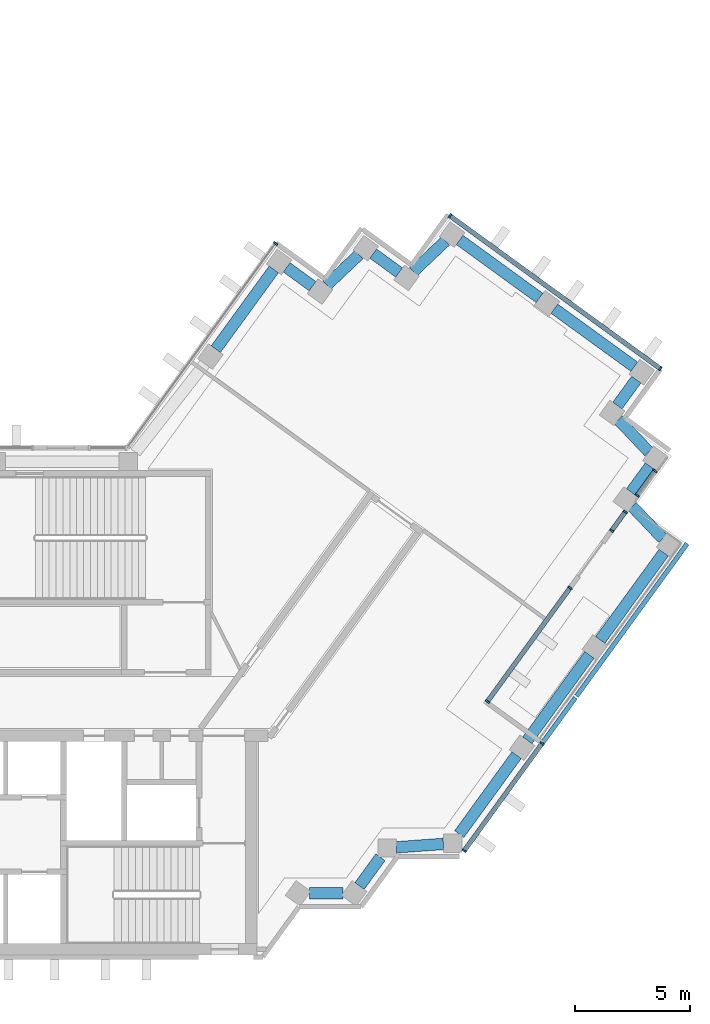
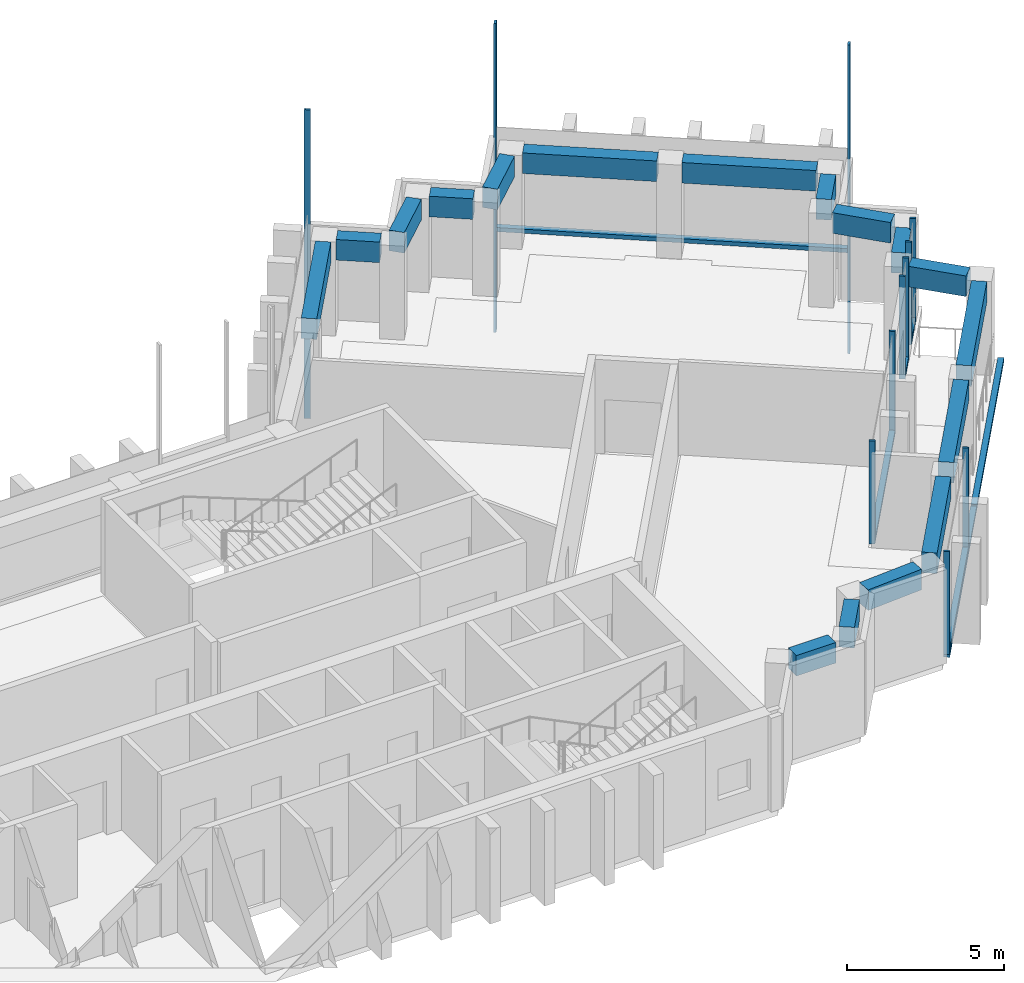
"""IFC4 building model written with IfcOpenShell, lengths in metres."""

import ifcopenshell
import ifcopenshell.guid

model = None  # the IFC model being written
_history = None  # IfcOwnerHistory: only IFC2X3 demands one
_inside = {}  # id of a spatial element -> (the spatial element, [elements in it])
_under = {}  # id of a project, library or spatial element -> (it, [spatial elements below it])
_declared = {}  # id of a project -> (the project, [libraries it declares])
_typed = {}  # id of a type object -> (the type object, [elements of that type])
_made_of = {}  # id of a material, layer set ... -> (it, [elements and type objects made of it])


def new_model(schema):
    """Start an empty IFC model of exactly this schema.

    Asked for "IFC4X3", IfcOpenShell would pick the latest addendum, in which some entities
    have other attributes; the version numbers below select the first issue.
    IFC2X3 requires an IfcOwnerHistory on every rooted entity: one is made here for all.
    """
    global model, _history
    if schema == "IFC4X3":
        model = ifcopenshell.file(schema_version=(4, 3, 0, 0))
    else:
        model = ifcopenshell.file(schema=schema)
    _inside.clear()
    _under.clear()
    _declared.clear()
    _typed.clear()
    _made_of.clear()
    _history = None
    if model.schema == "IFC2X3":
        org = make("IfcOrganization", Name="unknown")
        user = make(
            "IfcPersonAndOrganization",
            ThePerson=make("IfcPerson", FamilyName="unknown"),
            TheOrganization=org,
        )
        app = make(
            "IfcApplication",
            ApplicationDeveloper=org,
            Version="unknown",
            ApplicationFullName="unknown",
            ApplicationIdentifier="unknown",
        )
        _history = make(
            "IfcOwnerHistory",
            OwningUser=user,
            OwningApplication=app,
            ChangeAction="ADDED",
            CreationDate=0,
        )
    return model


def make(cls, **values):
    """One entity of the class cls with the attributes given. An attribute that is None is left unset."""
    return model.create_entity(
        cls, **{name: value for name, value in values.items() if value is not None}
    )


def rooted(cls, **values):
    """An entity with a GlobalId (a new one), such as an element, a storey or a relation."""
    return make(cls, GlobalId=ifcopenshell.guid.new(), OwnerHistory=_history, **values)


def si_unit(unit_type, name, prefix=None):
    """IfcSIUnit, for example si_unit("LENGTHUNIT", "METRE", prefix="MILLI")."""
    return make("IfcSIUnit", UnitType=unit_type, Prefix=prefix, Name=name)


def assignment(units):
    """IfcUnitAssignment: the units of a project."""
    return None if units is None else make("IfcUnitAssignment", Units=units)


def point(xyz):
    """IfcCartesianPoint."""
    return None if xyz is None else make("IfcCartesianPoint", Coordinates=xyz)


def direction(xyz):
    """IfcDirection."""
    return None if xyz is None else make("IfcDirection", DirectionRatios=xyz)


def frame(location, z_axis=None, x_axis=None):
    """IfcAxis2Placement3D, a coordinate frame: its origin and axes. An axis left out is left unset."""
    return make(
        "IfcAxis2Placement3D",
        Location=point(location),
        Axis=direction(z_axis),
        RefDirection=direction(x_axis),
    )


def frame_2d(location, x_axis=None):
    """IfcAxis2Placement2D, a coordinate frame in the plane: its origin and x axis."""
    return make(
        "IfcAxis2Placement2D", Location=point(location), RefDirection=direction(x_axis)
    )


def origin():
    """The frame at (0, 0, 0) with its axes left unset."""
    return frame((0.0, 0.0, 0.0))


def origin_2d():
    """The frame at (0, 0) in the plane with its x axis left unset."""
    return frame_2d((0.0, 0.0))


def place(relative_to, where):
    """IfcLocalPlacement: puts the frame where relative to a parent placement (None: the world)."""
    return make(
        "IfcLocalPlacement", PlacementRelTo=relative_to, RelativePlacement=where
    )


def context(
    kind, dimensions, precision=None, world=None, true_north=None, identifier=None
):
    """IfcGeometricRepresentationContext, for example the 3D "Model" context."""
    return make(
        "IfcGeometricRepresentationContext",
        ContextIdentifier=identifier,
        ContextType=kind,
        CoordinateSpaceDimension=dimensions,
        Precision=precision,
        WorldCoordinateSystem=world,
        TrueNorth=true_north,
    )


def subcontext(parent, identifier, kind, view, scale=None):
    """IfcGeometricRepresentationSubContext, for example "Body" below "Model"."""
    return make(
        "IfcGeometricRepresentationSubContext",
        ContextIdentifier=identifier,
        ContextType=kind,
        ParentContext=parent,
        TargetScale=scale,
        TargetView=view,
    )


def project(units=None, contexts=None):
    """IfcProject with its units and contexts."""
    return rooted(
        "IfcProject",
        Name="project",
        RepresentationContexts=contexts,
        UnitsInContext=assignment(units),
    )


def spatial(cls, under=None, at=None, **own):
    """A site, building, storey or space (cls), placed at a placement, below another one or the project."""
    s = rooted(cls, ObjectPlacement=at, **own)
    if under is not None:
        _under.setdefault(under.id(), (under, []))[1].append(s)
    return s


def profile(cls, at=None, kind="AREA", **sizes):
    """A parametric profile (cls). Its sizes go by their IFC names, for example OverallWidth=200.0."""
    return make(cls, ProfileType=kind, Position=at, **sizes)


def rectangle(**sizes):
    """IfcRectangleProfileDef."""
    return profile("IfcRectangleProfileDef", **sizes)


def extrude(swept, where, along, depth):
    """IfcExtrudedAreaSolid: the profile swept, set in the frame where, extruded along a direction by depth."""
    return make(
        "IfcExtrudedAreaSolid",
        SweptArea=swept,
        Position=where,
        ExtrudedDirection=direction(along),
        Depth=depth,
    )


def shape(context_of_items, identifier, shape_type, items):
    """IfcShapeRepresentation: the items that make up one representation, for example the "Body"."""
    return make(
        "IfcShapeRepresentation",
        ContextOfItems=context_of_items,
        RepresentationIdentifier=identifier,
        RepresentationType=shape_type,
        Items=items,
    )


def material(Name=None, Category=None):
    """IfcMaterial."""
    return make("IfcMaterial", Name=Name, Category=Category)


def material_profile(
    of_material, cross_section, Name=None, Category=None, Priority=None
):
    """IfcMaterialProfile: a cross section and its material."""
    return make(
        "IfcMaterialProfile",
        Name=Name,
        Material=of_material,
        Profile=cross_section,
        Priority=Priority,
        Category=Category,
    )


def profile_set(profiles, Name=None, composite=None):
    """IfcMaterialProfileSet."""
    return make(
        "IfcMaterialProfileSet",
        Name=Name,
        MaterialProfiles=profiles,
        CompositeProfile=composite,
    )


def made_of(thing, what):
    """Note that an element or type object is made of a material, layer set ...; save() writes the relation."""
    if what is not None:
        _made_of.setdefault(what.id(), (what, []))[1].append(thing)
    return thing


def type_object(cls, material=None, **own):
    """A type object (cls), such as IfcWallType, which elements share."""
    return made_of(rooted(cls, **own), material)


def element(
    cls,
    number,
    at=None,
    inside=None,
    cuts=None,
    type_object=None,
    material=None,
    context=None,
    identifier="Body",
    shape_type=None,
    held_by="IfcProductDefinitionShape",
    body=None,
    shapes=None,
    **own,
):
    """One element of the class cls, such as IfcWall. Its Tag is "e" and its number.

    at: its placement. inside: the storey or other place that contains it. cuts: it is an
    opening in that element (IfcRelVoidsElement). A single representation is given by context,
    identifier, shape_type and body (its items); several are given by shapes. held_by: the class
    of the entity that holds the representations. save() writes the other relations.
    """
    e = rooted(cls, Tag="e%d" % number, ObjectPlacement=at, **own)
    if body is not None:
        shapes = [shape(context, identifier, shape_type, body)]
    if shapes is not None:
        e.Representation = make(held_by, Representations=shapes)
    if inside is not None:
        _inside.setdefault(inside.id(), (inside, []))[1].append(e)
    if cuts is not None:
        rooted(
            "IfcRelVoidsElement", RelatingBuildingElement=cuts, RelatedOpeningElement=e
        )
    if type_object is not None:
        _typed.setdefault(type_object.id(), (type_object, []))[1].append(e)
    return made_of(e, material)


def aggregate(whole, parts):
    """IfcRelAggregates: a whole, such as a stair, and the parts it consists of."""
    return rooted("IfcRelAggregates", RelatingObject=whole, RelatedObjects=parts)


def save(model, path):
    """Write the relations noted so far, then the file.

    IfcRelAggregates (storeys below a building ...), IfcRelContainedInSpatialStructure (elements
    in a storey), IfcRelDefinesByType, IfcRelAssociatesMaterial and IfcRelDeclares: one each for
    every whole, place, type object, material and project.
    """
    for whole, parts in _under.values():
        aggregate(whole, parts)
    for where, things in _inside.values():
        rooted(
            "IfcRelContainedInSpatialStructure",
            RelatedElements=things,
            RelatingStructure=where,
        )
    for kind, things in _typed.values():
        rooted("IfcRelDefinesByType", RelatedObjects=things, RelatingType=kind)
    for what, things in _made_of.values():
        rooted("IfcRelAssociatesMaterial", RelatedObjects=things, RelatingMaterial=what)
    for by, libraries in _declared.values():
        rooted("IfcRelDeclares", RelatingContext=by, RelatedDefinitions=libraries)
    model.write(path)


model = new_model("IFC4")

# Units and contexts
model_context = context("Model", 3, precision=1e-05, world=origin(), true_north=direction((0.0, 1.0)))
body_context = subcontext(model_context, "Body", "Model", "MODEL_VIEW")
ifc_project = project(units=[si_unit("LENGTHUNIT", "METRE"), si_unit("AREAUNIT", "SQUARE_METRE"), si_unit("VOLUMEUNIT", "CUBIC_METRE"), si_unit("PLANEANGLEUNIT", "RADIAN"), si_unit("MASSUNIT", "GRAM", prefix="KILO")], contexts=[model_context])

# Site, building, storey
site_placement = place(None, origin())
site = spatial("IfcSite", under=ifc_project, at=site_placement, CompositionType="ELEMENT")
building_placement = place(site_placement, origin())
building = spatial("IfcBuilding", under=site, at=building_placement, Name="Quipu Civic Tower", CompositionType="ELEMENT")
storey_1_placement = place(building_placement, frame((0.0, 0.0, 198.0)))
storey_1 = spatial("IfcBuildingStorey", under=building, at=storey_1_placement, Name="L46", CompositionType="ELEMENT", Elevation=198.0)

# Curtain wall, members
ifc_material_1 = material(Name="Insulated glass unit", Category="glass")
curtain_wall_type = type_object("IfcCurtainWallType", Name="Office curtain wall CW1", PredefinedType="NOTDEFINED", material=ifc_material_1)
curtain_wall_1_placement = place(storey_1_placement, origin())
curtain_wall_1 = element("IfcCurtainWall", 1, at=curtain_wall_1_placement, inside=storey_1, type_object=curtain_wall_type, Name="Office curtain wall CW1 L46 run 1", PredefinedType="NOTDEFINED")
ifc_material_2 = material(Name="Anodised aluminium", Category="aluminium")
ifc_material_profile_1 = material_profile(ifc_material_2, rectangle(XDim=0.199951171875, YDim=0.080078125, at=origin_2d()), Name="RECT 200x80")
ifc_profile_set_1 = profile_set([ifc_material_profile_1], Name="Anodised aluminium")
member_type_1 = type_object("IfcMemberType", Name="Mullion CW1", PredefinedType="MULLION", material=ifc_profile_set_1)
member_1_placement = place(storey_1_placement, frame((29.029296875, -6.45654296875, 0.080078125), z_axis=(0.0, 0.0, 1.0), x_axis=(-0.809020285894, 0.587780721878, 0.0)))
member_1 = element("IfcMember", 2, at=member_1_placement, type_object=member_type_1, Name="CW1 mullion 1", PredefinedType="MULLION", context=body_context, shape_type="SweptSolid", body=[
    extrude(rectangle(XDim=0.199951171875, YDim=0.080078125, at=origin_2d()), origin(), (0.0, 0.0, 1.0), 4.0),
])
member_2_placement = place(storey_1_placement, frame((32.424560546875, -1.783447265625, 0.080078125), z_axis=(0.0, 0.0, 1.0), x_axis=(-0.809020285894, 0.587780721878, 0.0)))
member_2 = element("IfcMember", 3, at=member_2_placement, type_object=member_type_1, Name="CW1 mullion 2", PredefinedType="MULLION", context=body_context, shape_type="SweptSolid", body=[
    extrude(rectangle(XDim=0.199951171875, YDim=0.080078125, at=origin_2d()), origin(), (0.0, 0.0, 1.0), 4.0),
])

curtain_wall_2_placement = place(storey_1_placement, origin())
curtain_wall_2 = element("IfcCurtainWall", 4, at=curtain_wall_2_placement, inside=storey_1, type_object=curtain_wall_type, Name="Office curtain wall CW1 L46 run 3", PredefinedType="NOTDEFINED")
member_3_placement = place(storey_1_placement, frame((30.04443359375, 0.04443359375, 0.080078125), z_axis=(0.0, 0.0, 1.0), x_axis=(-0.809015003837, 0.587787992023, 0.0)))
member_3 = element("IfcMember", 5, at=member_3_placement, type_object=member_type_1, Name="CW1 mullion 1", PredefinedType="MULLION", context=body_context, shape_type="SweptSolid", body=[
    extrude(rectangle(XDim=0.199951171875, YDim=0.080078125, at=origin_2d()), origin(), (0.0, 0.0, 1.0), 4.0),
])
member_4_placement = place(storey_1_placement, frame((33.6416015625, 4.995361328125, 0.080078125), z_axis=(0.0, 0.0, 1.0), x_axis=(-0.809015003837, 0.587787992023, 0.0)))
member_4 = element("IfcMember", 6, at=member_4_placement, type_object=member_type_1, Name="CW1 mullion 2", PredefinedType="MULLION", context=body_context, shape_type="SweptSolid", body=[
    extrude(rectangle(XDim=0.199951171875, YDim=0.080078125, at=origin_2d()), origin(), (0.0, 0.0, 1.0), 4.0),
])

curtain_wall_3_placement = place(storey_1_placement, origin())
curtain_wall_3 = element("IfcCurtainWall", 7, at=curtain_wall_3_placement, inside=storey_1, type_object=curtain_wall_type, Name="Office curtain wall CW1 L46 run 5", PredefinedType="NOTDEFINED")
member_5_placement = place(storey_1_placement, frame((35.451904296875, 7.487060546875, 0.080078125), z_axis=(0.0, 0.0, 1.0), x_axis=(-0.808983645641, 0.587831150148, 0.0)))
member_5 = element("IfcMember", 8, at=member_5_placement, type_object=member_type_1, Name="CW1 mullion 1", PredefinedType="MULLION", context=body_context, shape_type="SweptSolid", body=[
    extrude(rectangle(XDim=0.199951171875, YDim=0.080078125, at=origin_2d()), origin(), (0.0, 0.0, 1.0), 4.0),
])
member_6_placement = place(storey_1_placement, frame((36.051513671875, 8.312255859375, 0.080078125), z_axis=(0.0, 0.0, 1.0), x_axis=(-0.808983645641, 0.587831150148, 0.0)))
member_6 = element("IfcMember", 9, at=member_6_placement, type_object=member_type_1, Name="CW1 mullion 2", PredefinedType="MULLION", context=body_context, shape_type="SweptSolid", body=[
    extrude(rectangle(XDim=0.199951171875, YDim=0.080078125, at=origin_2d()), origin(), (0.0, 0.0, 1.0), 4.0),
])

curtain_wall_4_placement = place(storey_1_placement, origin())
curtain_wall_4 = element("IfcCurtainWall", 10, at=curtain_wall_4_placement, inside=storey_1, type_object=curtain_wall_type, Name="Office curtain wall CW1 L46 run 6", PredefinedType="NOTDEFINED")
member_7_placement = place(storey_1_placement, frame((36.568603515625, 9.024169921875, 0.080078125), z_axis=(0.0, 0.0, 1.0), x_axis=(-0.80900161598, 0.587806418255, 0.0)))
member_7 = element("IfcMember", 11, at=member_7_placement, type_object=member_type_1, Name="CW1 mullion 1", PredefinedType="MULLION", context=body_context, shape_type="SweptSolid", body=[
    extrude(rectangle(XDim=0.199951171875, YDim=0.080078125, at=origin_2d()), origin(), (0.0, 0.0, 1.0), 4.0),
])
member_8_placement = place(storey_1_placement, frame((37.3447265625, 10.09228515625, 0.080078125), z_axis=(0.0, 0.0, 1.0), x_axis=(-0.80900161598, 0.587806418255, 0.0)))
member_8 = element("IfcMember", 12, at=member_8_placement, type_object=member_type_1, Name="CW1 mullion 2", PredefinedType="MULLION", context=body_context, shape_type="SweptSolid", body=[
    extrude(rectangle(XDim=0.199951171875, YDim=0.080078125, at=origin_2d()), origin(), (0.0, 0.0, 1.0), 4.0),
])

curtain_wall_5_placement = place(storey_1_placement, origin())
curtain_wall_5 = element("IfcCurtainWall", 13, at=curtain_wall_5_placement, inside=storey_1, type_object=curtain_wall_type, Name="Office curtain wall CW1 L45 run 6", PredefinedType="NOTDEFINED")
member_9_placement = place(storey_1_placement, frame((37.569091796875, 14.552490234375, -3.919921875), z_axis=(0.0, 0.0, 1.0), x_axis=(-0.587787753918, -0.809015176832, 0.0)))
member_9 = element("IfcMember", 14, at=member_9_placement, type_object=member_type_1, Name="CW1 mullion 1", PredefinedType="MULLION", context=body_context, shape_type="SweptSolid", body=[
    extrude(rectangle(XDim=0.199951171875, YDim=0.080078125, at=origin_2d()), origin(), (0.0, 0.0, 1.0), 12.0),
])
member_10_placement = place(storey_1_placement, frame((28.4111328125, 21.206298828125, -3.919921875), z_axis=(0.0, 0.0, 1.0), x_axis=(-0.587787753918, -0.809015176832, 0.0)))
member_10 = element("IfcMember", 15, at=member_10_placement, type_object=member_type_1, Name="CW1 mullion 2", PredefinedType="MULLION", context=body_context, shape_type="SweptSolid", body=[
    extrude(rectangle(XDim=0.199951171875, YDim=0.080078125, at=origin_2d()), origin(), (0.0, 0.0, 1.0), 12.0),
])

# Curtain wall, member
curtain_wall_6_placement = place(storey_1_placement, origin())
curtain_wall_6 = element("IfcCurtainWall", 16, at=curtain_wall_6_placement, inside=storey_1, type_object=curtain_wall_type, Name="Office curtain wall CW1 L45 run 11", PredefinedType="NOTDEFINED")
member_11_placement = place(storey_1_placement, frame((20.8125, 20.002685546875, -3.919921875), z_axis=(0.0, 0.0, 1.0), x_axis=(0.809015163947, -0.587787771652, 0.0)))
member_11 = element("IfcMember", 17, at=member_11_placement, type_object=member_type_1, Name="CW1 mullion 1", PredefinedType="MULLION", context=body_context, shape_type="SweptSolid", body=[
    extrude(rectangle(XDim=0.199951171875, YDim=0.080078125, at=origin_2d()), origin(), (0.0, 0.0, 1.0), 12.0),
])
aggregate(curtain_wall_6, [member_11])

# Beams
ifc_material_3 = material(Name="Concrete C50/60", Category="concrete")
ifc_material_profile_2 = material_profile(ifc_material_3, rectangle(XDim=0.5, YDim=0.800048828125, at=origin_2d()), Name="RC500x800")
ifc_profile_set_2 = profile_set([ifc_material_profile_2], Name="Concrete C50/60")
beam_type = type_object("IfcBeamType", Name="Spandrel beam RC 500x800 C50/60", PredefinedType="SPANDREL", material=ifc_profile_set_2)
beam_1_placement = place(storey_1_placement, frame((22.2861328125, -8.31494140625, 3.25), z_axis=(1.0, 0.0, 0.0), x_axis=(0.0, 1.0, 0.0)))
element("IfcBeam", 18, at=beam_1_placement, inside=storey_1, type_object=beam_type, Name="Spandrel beam L46 J-Eo.1 to J-Eo.2", PredefinedType="SPANDREL", context=body_context, shape_type="SweptSolid", body=[
    extrude(rectangle(XDim=0.5, YDim=0.800048828125, at=origin_2d()), origin(), (0.0, 0.0, 1.0), 1.454345703125),
])
beam_2_placement = place(storey_1_placement, frame((24.470458984375, -7.991455078125, 3.25), z_axis=(0.588405601119, 0.808565920981, 0.0), x_axis=(-0.808565920981, 0.588405601119, 0.0)))
element("IfcBeam", 19, at=beam_2_placement, inside=storey_1, type_object=beam_type, Name="Spandrel beam L46 J-Eo.2 to J-Eo.3", PredefinedType="SPANDREL", context=body_context, shape_type="SweptSolid", body=[
    extrude(rectangle(XDim=0.5, YDim=0.800048828125, at=origin_2d()), origin(), (0.0, 0.0, 1.0), 1.55126953125),
])
beam_3_placement = place(storey_1_placement, frame((26.074462890625, -6.307861328125, 3.25), z_axis=(0.997372997143, 0.072436900614, 0.0), x_axis=(-0.072436900614, 0.997372997143, 0.0)))
element("IfcBeam", 20, at=beam_3_placement, inside=storey_1, type_object=beam_type, Name="Spandrel beam L46 J-Eo.3 to J-Eo.4", PredefinedType="SPANDREL", context=body_context, shape_type="SweptSolid", body=[
    extrude(rectangle(XDim=0.5, YDim=0.800048828125, at=origin_2d()), origin(), (0.0, 0.0, 1.0), 2.055908203125),
])
beam_4_placement = place(storey_1_placement, frame((28.815673828125, -5.72998046875, 3.25), z_axis=(0.58776850526, 0.809029161541, 0.0), x_axis=(-0.809029161541, 0.58776850526, 0.0)))
element("IfcBeam", 21, at=beam_4_placement, inside=storey_1, type_object=beam_type, Name="Spandrel beam L46 J-Eo.4 to E-OUT-01", PredefinedType="SPANDREL", context=body_context, shape_type="SweptSolid", body=[
    extrude(rectangle(XDim=0.5, YDim=0.800048828125, at=origin_2d()), origin(), (0.0, 0.0, 1.0), 4.249267578125),
])
beam_5_placement = place(storey_1_placement, frame((31.783447265625, -1.64501953125, 3.25), z_axis=(0.587796098864, 0.809009113768, 0.0), x_axis=(-0.809009113768, 0.587796098864, 0.0)))
element("IfcBeam", 22, at=beam_5_placement, inside=storey_1, type_object=beam_type, Name="Spandrel beam L46 E-OUT-01 to E-OUT-02", PredefinedType="SPANDREL", context=body_context, shape_type="SweptSolid", body=[
    extrude(rectangle(XDim=0.5, YDim=0.800048828125, at=origin_2d()), origin(), (0.0, 0.0, 1.0), 4.60009765625),
])
beam_6_placement = place(storey_1_placement, frame((34.95751953125, 2.7236328125, 3.25), z_axis=(0.587891029962, 0.808940131833, 0.0), x_axis=(-0.808940131833, 0.587891029962, 0.0)))
element("IfcBeam", 23, at=beam_6_placement, inside=storey_1, type_object=beam_type, Name="Spandrel beam L46 E-OUT-02 to T-Eo.0-E22", PredefinedType="SPANDREL", context=body_context, shape_type="SweptSolid", body=[
    extrude(rectangle(XDim=0.5, YDim=0.800048828125, at=origin_2d()), origin(), (0.0, 0.0, 1.0), 4.707275390625),
])
beam_7_placement = place(storey_1_placement, frame((37.6796875, 7.149658203125, 3.25), z_axis=(-0.689191109061, 0.724579612735, 0.0), x_axis=(-0.724579612735, -0.689191109061, 0.0)))
element("IfcBeam", 24, at=beam_7_placement, inside=storey_1, type_object=beam_type, Name="Spandrel beam L46 T-Eo.0-E22 to T-Eo.1-E22", PredefinedType="SPANDREL", context=body_context, shape_type="SweptSolid", body=[
    extrude(rectangle(XDim=0.5, YDim=0.800048828125, at=origin_2d()), origin(), (0.0, 0.0, 1.0), 1.931640625),
])
beam_8_placement = place(storey_1_placement, frame((36.302978515625, 9.16796875, 3.25), z_axis=(0.58725897397, 0.809399096547, 0.0), x_axis=(-0.809399096547, 0.58725897397, 0.0)))
element("IfcBeam", 25, at=beam_8_placement, inside=storey_1, type_object=beam_type, Name="Spandrel beam L46 T-Eo.1-E22 to T-Eo.2-E22", PredefinedType="SPANDREL", context=body_context, shape_type="SweptSolid", body=[
    extrude(rectangle(XDim=0.5, YDim=0.800048828125, at=origin_2d()), origin(), (0.0, 0.0, 1.0), 1.400146484375),
])
beam_9_placement = place(storey_1_placement, frame((37.080078125, 10.920166015625, 3.25), z_axis=(-0.688280901551, 0.725444278053, 0.0), x_axis=(-0.725444278053, -0.688280901551, 0.0)))
element("IfcBeam", 26, at=beam_9_placement, inside=storey_1, type_object=beam_type, Name="Spandrel beam L46 T-Eo.2-E22 to T-Eo.3-E22", PredefinedType="SPANDREL", context=body_context, shape_type="SweptSolid", body=[
    extrude(rectangle(XDim=0.5, YDim=0.800048828125, at=origin_2d()), origin(), (0.0, 0.0, 1.0), 1.931396484375),
])
beam_10_placement = place(storey_1_placement, frame((35.7060546875, 12.93994140625, 3.25), z_axis=(0.58841024035, 0.808562544922, 0.0), x_axis=(-0.808562544922, 0.58841024035, 0.0)))
element("IfcBeam", 27, at=beam_10_placement, inside=storey_1, type_object=beam_type, Name="Spandrel beam L46 T-Eo.3-E22 to T-Eo.4-E22", PredefinedType="SPANDREL", context=body_context, shape_type="SweptSolid", body=[
    extrude(rectangle(XDim=0.5, YDim=0.800048828125, at=origin_2d()), origin(), (0.0, 0.0, 1.0), 1.3994140625),
])
beam_11_placement = place(storey_1_placement, frame((36.44140625, 14.630126953125, 3.25), z_axis=(-0.809153076016, 0.587597906373, 0.0), x_axis=(-0.587597906373, -0.809153076016, 0.0)))
element("IfcBeam", 28, at=beam_11_placement, inside=storey_1, type_object=beam_type, Name="Spandrel beam L46 T-Eo.4-E22 to TIP-E-01-E22", PredefinedType="SPANDREL", context=body_context, shape_type="SweptSolid", body=[
    extrude(rectangle(XDim=0.5, YDim=0.800048828125, at=origin_2d()), origin(), (0.0, 0.0, 1.0), 4.302001953125),
])
beam_12_placement = place(storey_1_placement, frame((32.313232421875, 17.6279296875, 3.25), z_axis=(-0.80911644178, 0.587648350327, 0.0), x_axis=(-0.587648350327, -0.80911644178, 0.0)))
element("IfcBeam", 29, at=beam_12_placement, inside=storey_1, type_object=beam_type, Name="Spandrel beam L46 TIP-E-01-E22 to T-Ei.0-E22", PredefinedType="SPANDREL", context=body_context, shape_type="SweptSolid", body=[
    extrude(rectangle(XDim=0.5, YDim=0.800048828125, at=origin_2d()), origin(), (0.0, 0.0, 1.0), 4.30029296875),
])
beam_13_placement = place(storey_1_placement, frame((28.21484375, 20.10986328125, 3.25), z_axis=(-0.725384387405, -0.688344020464, 0.0), x_axis=(0.688344020464, -0.725384387405, 0.0)))
element("IfcBeam", 30, at=beam_13_placement, inside=storey_1, type_object=beam_type, Name="Spandrel beam L46 T-Ei.0-E22 to T-Ei.1-E22", PredefinedType="SPANDREL", context=body_context, shape_type="SweptSolid", body=[
    extrude(rectangle(XDim=0.5, YDim=0.800048828125, at=origin_2d()), origin(), (0.0, 0.0, 1.0), 1.93115234375),
])
beam_14_placement = place(storey_1_placement, frame((26.195556640625, 18.73583984375, 3.25), z_axis=(-0.808600329101, 0.588358315805, 0.0), x_axis=(-0.588358315805, -0.808600329101, 0.0)))
element("IfcBeam", 31, at=beam_14_placement, inside=storey_1, type_object=beam_type, Name="Spandrel beam L46 T-Ei.1-E22 to T-Ei.2-E22", PredefinedType="SPANDREL", context=body_context, shape_type="SweptSolid", body=[
    extrude(rectangle(XDim=0.5, YDim=0.800048828125, at=origin_2d()), origin(), (0.0, 0.0, 1.0), 1.400146484375),
])
beam_15_placement = place(storey_1_placement, frame((24.445068359375, 19.514892578125, 3.25), z_axis=(-0.72506883804, -0.688676397232, 0.0), x_axis=(0.688676397232, -0.72506883804, 0.0)))
element("IfcBeam", 32, at=beam_15_placement, inside=storey_1, type_object=beam_type, Name="Spandrel beam L46 T-Ei.2-E22 to T-Ei.3-E22", PredefinedType="SPANDREL", context=body_context, shape_type="SweptSolid", body=[
    extrude(rectangle(XDim=0.5, YDim=0.800048828125, at=origin_2d()), origin(), (0.0, 0.0, 1.0), 1.93212890625),
])
beam_16_placement = place(storey_1_placement, frame((22.425537109375, 18.13916015625, 3.25), z_axis=(-0.809452764948, 0.587184997524, 0.0), x_axis=(-0.587184997524, -0.809452764948, 0.0)))
element("IfcBeam", 33, at=beam_16_placement, inside=storey_1, type_object=beam_type, Name="Spandrel beam L46 T-Ei.3-E22 to T-Ei.4-E22", PredefinedType="SPANDREL", context=body_context, shape_type="SweptSolid", body=[
    extrude(rectangle(XDim=0.5, YDim=0.800048828125, at=origin_2d()), origin(), (0.0, 0.0, 1.0), 1.398193359375),
])
beam_17_placement = place(storey_1_placement, frame((20.734619140625, 18.87158203125, 3.25), z_axis=(-0.58812775221, -0.808768042816, 0.0), x_axis=(0.808768042816, -0.58812775221, 0.0)))
element("IfcBeam", 34, at=beam_17_placement, inside=storey_1, type_object=beam_type, Name="Spandrel beam L46 T-Ei.4-E22 to E-IN-01", PredefinedType="SPANDREL", context=body_context, shape_type="SweptSolid", body=[
    extrude(rectangle(XDim=0.5, YDim=0.800048828125, at=origin_2d()), origin(), (0.0, 0.0, 1.0), 4.29443359375),
])

# Storey
storey_2_placement = place(building_placement, frame((0.0, 0.0, 194.0)))
storey_2 = spatial("IfcBuildingStorey", under=building, at=storey_2_placement, Name="L45", CompositionType="ELEMENT", Elevation=194.0)

# Curtain wall, members
curtain_wall_7_placement = place(storey_2_placement, origin())
curtain_wall_7 = element("IfcCurtainWall", 35, at=curtain_wall_7_placement, inside=storey_2, type_object=curtain_wall_type, Name="Office curtain wall CW1 L45 run 1", PredefinedType="NOTDEFINED")
ifc_material_4 = material(Name="Anodised aluminium", Category="aluminium")
ifc_material_profile_3 = material_profile(ifc_material_4, rectangle(XDim=0.199951171875, YDim=0.159912109375, at=origin_2d()), Name="RECT 200x160")
ifc_profile_set_3 = profile_set([ifc_material_profile_3], Name="Anodised aluminium")
member_type_2 = type_object("IfcMemberType", Name="Transom CW1", PredefinedType="USERDEFINED", material=ifc_profile_set_3)
member_12_placement = place(storey_1_placement, frame((29.052978515625, -6.424072265625, 0.0), z_axis=(0.587780770372, 0.809020250662, 0.0), x_axis=(-0.809020250662, 0.587780770372, 0.0)))
member_12 = element("IfcMember", 36, at=member_12_placement, inside=storey_1, type_object=member_type_2, Name="CW1 transom 1.2", ObjectType="TRANSOM", PredefinedType="USERDEFINED", context=body_context, shape_type="SweptSolid", body=[
    extrude(rectangle(XDim=0.199951171875, YDim=0.159912109375, at=origin_2d()), origin(), (0.0, 0.0, 1.0), 8.2080078125),
])
member_13_placement = place(storey_1_placement, frame((33.924560546875, 0.281005859375, 0.0), z_axis=(0.587780770372, 0.809020250662, 0.0), x_axis=(-0.809020250662, 0.587780770372, 0.0)))
member_13 = element("IfcMember", 37, at=member_13_placement, inside=storey_1, type_object=member_type_2, Name="CW1 transom 2.2", ObjectType="TRANSOM", PredefinedType="USERDEFINED", context=body_context, shape_type="SweptSolid", body=[
    extrude(rectangle(XDim=0.199951171875, YDim=0.159912109375, at=origin_2d()), origin(), (0.0, 0.0, 1.0), 8.2080078125),
])
aggregate(curtain_wall_7, [member_12, member_13])

# Member
member_14_placement = place(storey_1_placement, frame((29.052978515625, -6.424072265625, 0.159912109375), z_axis=(0.587771499794, 0.809026985971, 0.0), x_axis=(-0.809026985971, 0.587771499794, 0.0)))
member_14 = element("IfcMember", 38, at=member_14_placement, type_object=member_type_2, Name="CW1 transom 1.1", ObjectType="TRANSOM", PredefinedType="USERDEFINED", context=body_context, shape_type="SweptSolid", body=[
    extrude(rectangle(XDim=0.199951171875, YDim=0.159912109375, at=origin_2d()), origin(), (0.0, 0.0, 1.0), 5.69580078125),
])

aggregate(curtain_wall_1, [member_1, member_2, member_14])

member_15_placement = place(storey_1_placement, frame((30.068115234375, 0.076904296875, 0.159912109375), z_axis=(0.587777430815, 0.809022676953, 0.0), x_axis=(-0.809022676953, 0.587777430815, 0.0)))
member_15 = element("IfcMember", 39, at=member_15_placement, type_object=member_type_2, Name="CW1 transom 1.1", ObjectType="TRANSOM", PredefinedType="USERDEFINED", context=body_context, shape_type="SweptSolid", body=[
    extrude(rectangle(XDim=0.199951171875, YDim=0.159912109375, at=origin_2d()), origin(), (0.0, 0.0, 1.0), 6.039306640625),
])

aggregate(curtain_wall_2, [member_3, member_4, member_15])

member_16_placement = place(storey_1_placement, frame((35.475341796875, 7.51953125, 0.159912109375), z_axis=(0.587924619489, 0.808915719836, 0.0), x_axis=(-0.808915719836, 0.587924619489, 0.0)))
member_16 = element("IfcMember", 40, at=member_16_placement, type_object=member_type_2, Name="CW1 transom 1.1", ObjectType="TRANSOM", PredefinedType="USERDEFINED", context=body_context, shape_type="SweptSolid", body=[
    extrude(rectangle(XDim=0.199951171875, YDim=0.159912109375, at=origin_2d()), origin(), (0.0, 0.0, 1.0), 0.940185546875),
])

aggregate(curtain_wall_3, [member_5, member_6, member_16])

member_17_placement = place(storey_1_placement, frame((36.59228515625, 9.056640625, 0.159912109375), z_axis=(0.587867298667, 0.808957377838, 0.0), x_axis=(-0.808957377838, 0.587867298667, 0.0)))
member_17 = element("IfcMember", 41, at=member_17_placement, type_object=member_type_2, Name="CW1 transom 1.1", ObjectType="TRANSOM", PredefinedType="USERDEFINED", context=body_context, shape_type="SweptSolid", body=[
    extrude(rectangle(XDim=0.199951171875, YDim=0.159912109375, at=origin_2d()), origin(), (0.0, 0.0, 1.0), 1.239990234375),
])

aggregate(curtain_wall_4, [member_7, member_8, member_17])

member_18_placement = place(storey_1_placement, frame((37.536865234375, 14.575927734375, 0.080078125), z_axis=(-0.809022463805, 0.587777724194, 0.0), x_axis=(-0.587777724194, -0.809022463805, 0.0)))
member_18 = element("IfcMember", 42, at=member_18_placement, type_object=member_type_2, Name="CW1 transom 1.2", ObjectType="TRANSOM", PredefinedType="USERDEFINED", context=body_context, shape_type="SweptSolid", body=[
    extrude(rectangle(XDim=0.199951171875, YDim=0.159912109375, at=origin_2d()), origin(), (0.0, 0.0, 1.0), 11.240234375),
])

aggregate(curtain_wall_5, [member_9, member_10, member_18])

save(model, "model.ifc")
